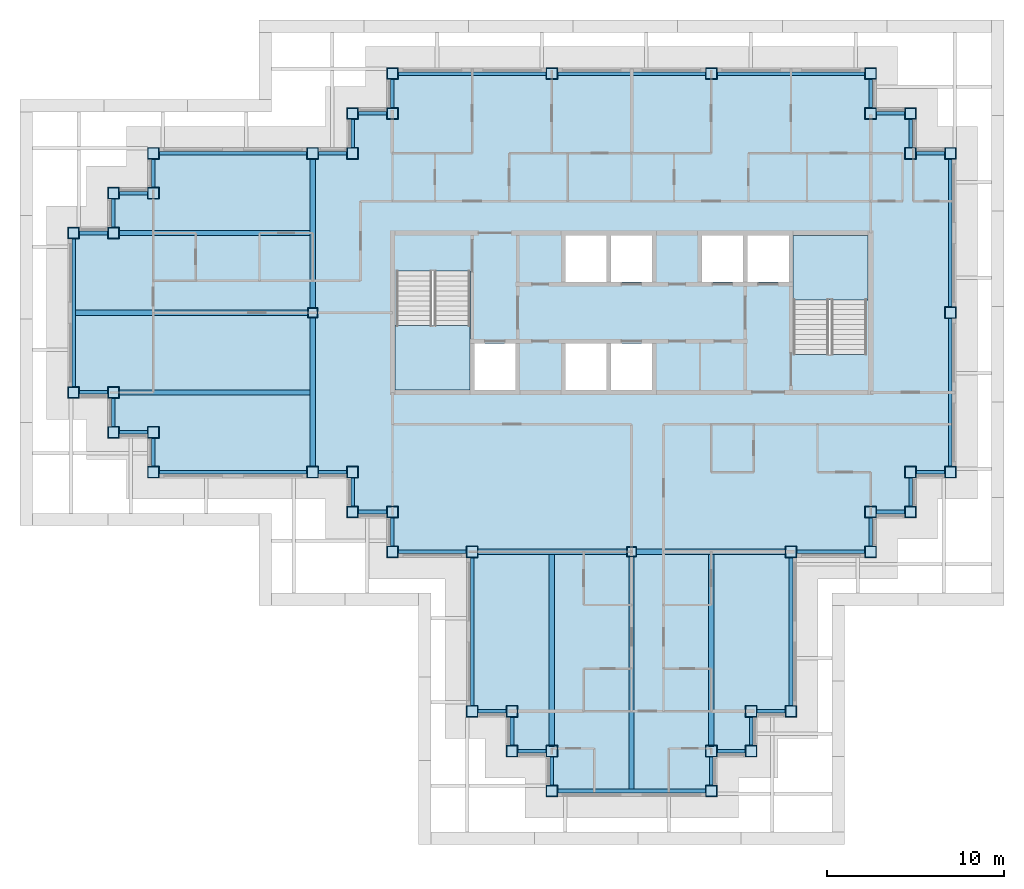
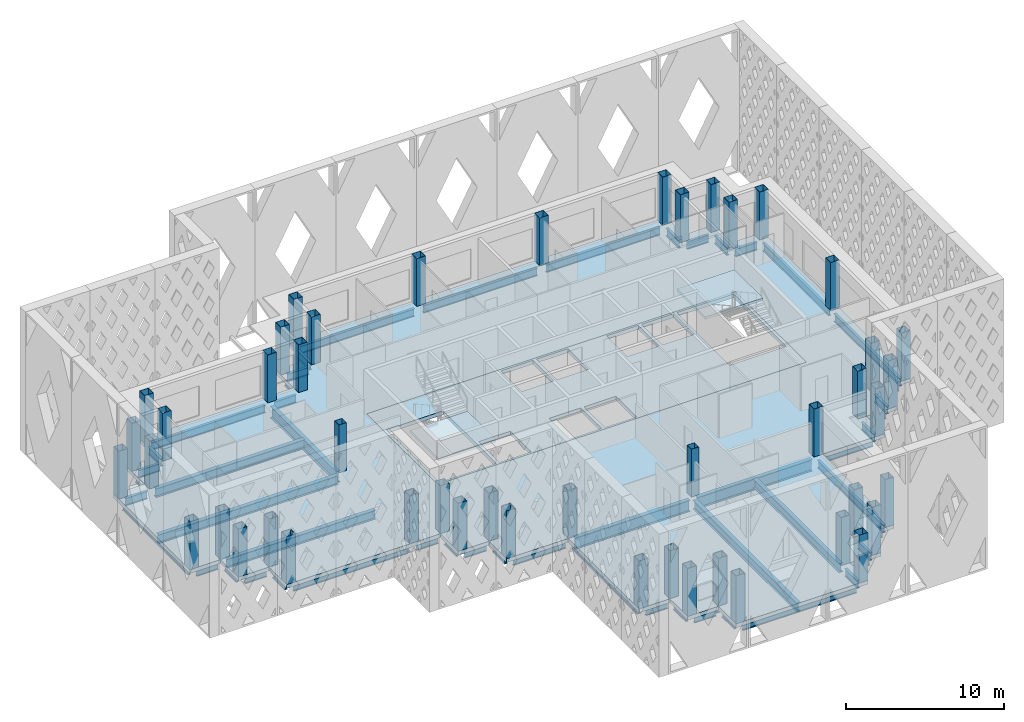
# One storey, part 1 of 17: 55 beams, 47 columns, 4 slabs, 2 elements without a shape of their own.
"""IFC4 building model written with IfcOpenShell, lengths in metres."""

from ifc_helpers import new_model, si_unit, direction, frame, origin, origin_2d, place, context, subcontext, project, spatial, polyline, hollow_rectangle, i_section, outline, extrude, material, layer, layer_set, material_profile, profile_set, type_object, element, aggregate, save


model = new_model("IFC4")

# Units and contexts
model_context = context("Model", 3, precision=1e-05, world=origin(), true_north=direction((0.0, 1.0)))
body_context = subcontext(model_context, "Body", "Model", "MODEL_VIEW")
ifc_project = project(units=[si_unit("LENGTHUNIT", "METRE"), si_unit("AREAUNIT", "SQUARE_METRE"), si_unit("VOLUMEUNIT", "CUBIC_METRE"), si_unit("PLANEANGLEUNIT", "RADIAN"), si_unit("MASSUNIT", "GRAM", prefix="KILO")], contexts=[model_context])

# Site, building, storey
site_placement = place(None, origin())
site = spatial("IfcSite", under=ifc_project, at=site_placement, CompositionType="ELEMENT")
building_placement = place(site_placement, origin())
building = spatial("IfcBuilding", under=site, at=building_placement, Name="Caravel Reach Hotel and Residences", CompositionType="ELEMENT")
storey_placement = place(building_placement, frame((0.0, 0.0, 222.0)))
storey = spatial("IfcBuildingStorey", under=building, at=storey_placement, Name="L56", CompositionType="ELEMENT", Elevation=222.0)

# Columns
ifc_material_1 = material(Name="Concrete-filled steel tube Q390B with Concrete C60 infill", Category="concrete")
ifc_material_profile_1 = material_profile(ifc_material_1, hollow_rectangle(XDim=0.550048828125, YDim=0.550048828125, WallThickness=0.01806640625, at=origin_2d()), Name="RHS 550x550x18")
ifc_profile_set_1 = profile_set([ifc_material_profile_1], Name="Concrete-filled steel tube Q390B with Concrete C60 infill")
column_type_1 = type_object("IfcColumnType", Name="CFT 550x550 Q390B C60", PredefinedType="COLUMN", material=ifc_profile_set_1)
for number, where, z_axis, x_axis, name in (
    (1, (31.5, 13.5, 0.0), (0.0, 0.0, 1.0), (1.0, 0.0, 0.0), "C18 column"),
    (2, (13.5, 27.0, 0.0), (0.0, 0.0, 1.0), (1.0, 0.0, 0.0), "C18 column"),
):
    element("IfcColumn", number, at=place(storey_placement, frame(where, z_axis=z_axis, x_axis=x_axis)), inside=storey, type_object=column_type_1, Name=name, PredefinedType="COLUMN", context=body_context, shape_type="SweptSolid", body=[
        extrude(hollow_rectangle(XDim=0.550048828125, YDim=0.550048828125, WallThickness=0.01806640625, at=origin_2d()), origin(), (0.0, 0.0, 1.0), 3.699951171875),
    ])
ifc_material_2 = material(Name="Concrete-filled steel tube Q390B with Concrete C60 infill", Category="concrete")
ifc_material_profile_2 = material_profile(ifc_material_2, hollow_rectangle(XDim=0.64990234375, YDim=0.64990234375, WallThickness=0.02099609375, at=origin_2d()), Name="RHS 650x650x21")
ifc_profile_set_2 = profile_set([ifc_material_profile_2], Name="Concrete-filled steel tube Q390B with Concrete C60 infill")
column_type_2 = type_object("IfcColumnType", Name="CFT 650x650 Q390B C60", PredefinedType="COLUMN", material=ifc_profile_set_2)
for number, where, z_axis, x_axis, name in (
    (3, (40.5, 13.5, 0.0), (0.0, 0.0, 1.0), (1.0, 0.0, 0.0), "C15 column"),
    (4, (45.0, 13.5, 0.0), (0.0, 0.0, 1.0), (1.0, 0.0, 0.0), "C15 column"),
    (5, (45.0, 15.75, 0.0), (0.0, 0.0, 1.0), (1.0, 0.0, 0.0), "C15 column"),
    (6, (47.25, 15.75, 0.0), (0.0, 0.0, 1.0), (1.0, 0.0, 0.0), "C15 column"),
    (7, (47.25, 18.0, 0.0), (0.0, 0.0, 1.0), (1.0, 0.0, 0.0), "C15 column"),
    (8, (49.5, 18.0, 0.0), (0.0, 0.0, 1.0), (1.0, 0.0, 0.0), "C15 column"),
    (9, (49.5, 27.0, 0.0), (0.0, 0.0, 1.0), (1.0, 0.0, 0.0), "C15 column"),
    (10, (49.5, 36.0, 0.0), (0.0, 0.0, 1.0), (1.0, 0.0, 0.0), "C15 column"),
    (11, (47.25, 36.0, 0.0), (0.0, 0.0, 1.0), (1.0, 0.0, 0.0), "C15 column"),
    (12, (47.25, 38.25, 0.0), (0.0, 0.0, 1.0), (1.0, 0.0, 0.0), "C15 column"),
    (13, (45.0, 38.25, 0.0), (0.0, 0.0, 1.0), (1.0, 0.0, 0.0), "C15 column"),
    (14, (45.0, 40.5, 0.0), (0.0, 0.0, 1.0), (1.0, 0.0, 0.0), "C15 column"),
    (15, (36.0, 40.5, 0.0), (0.0, 0.0, 1.0), (1.0, 0.0, 0.0), "C15 column"),
    (16, (27.0, 40.5, 0.0), (0.0, 0.0, 1.0), (1.0, 0.0, 0.0), "C15 column"),
    (17, (18.0, 40.5, 0.0), (0.0, 0.0, 1.0), (1.0, 0.0, 0.0), "C15 column"),
    (18, (18.0, 38.25, 0.0), (0.0, 0.0, 1.0), (1.0, 0.0, 0.0), "C15 column"),
    (19, (15.75, 38.25, 0.0), (0.0, 0.0, 1.0), (1.0, 0.0, 0.0), "C15 column"),
    (20, (15.75, 36.0, 0.0), (0.0, 0.0, 1.0), (1.0, 0.0, 0.0), "C15 column"),
    (21, (13.5, 36.0, 0.0), (0.0, 0.0, 1.0), (1.0, 0.0, 0.0), "C15 column"),
    (22, (4.5, 36.0, 0.0), (0.0, 0.0, 1.0), (1.0, 0.0, 0.0), "C15 column"),
    (23, (4.5, 33.75, 0.0), (0.0, 0.0, 1.0), (1.0, 0.0, 0.0), "C15 column"),
    (24, (2.25, 33.75, 0.0), (0.0, 0.0, 1.0), (1.0, 0.0, 0.0), "C15 column"),
    (25, (2.25, 31.5, 0.0), (0.0, 0.0, 1.0), (1.0, 0.0, 0.0), "C15 column"),
    (26, (0.0, 31.5, 0.0), (0.0, 0.0, 1.0), (1.0, 0.0, 0.0), "C15 column"),
    (27, (0.0, 22.5, 0.0), (0.0, 0.0, 1.0), (1.0, 0.0, 0.0), "C15 column"),
    (28, (2.25, 22.5, 0.0), (0.0, 0.0, 1.0), (1.0, 0.0, 0.0), "C15 column"),
    (29, (2.25, 20.25, 0.0), (0.0, 0.0, 1.0), (1.0, 0.0, 0.0), "C15 column"),
    (30, (4.5, 20.25, 0.0), (0.0, 0.0, 1.0), (1.0, 0.0, 0.0), "C15 column"),
    (31, (4.5, 18.0, 0.0), (0.0, 0.0, 1.0), (1.0, 0.0, 0.0), "C15 column"),
    (32, (13.5, 18.0, 0.0), (0.0, 0.0, 1.0), (1.0, 0.0, 0.0), "C15 column"),
    (33, (15.75, 18.0, 0.0), (0.0, 0.0, 1.0), (1.0, 0.0, 0.0), "C15 column"),
    (34, (15.75, 15.75, 0.0), (0.0, 0.0, 1.0), (1.0, 0.0, 0.0), "C15 column"),
    (35, (18.0, 15.75, 0.0), (0.0, 0.0, 1.0), (1.0, 0.0, 0.0), "C15 column"),
    (36, (18.0, 13.5, 0.0), (0.0, 0.0, 1.0), (1.0, 0.0, 0.0), "C15 column"),
    (37, (22.5, 13.5, 0.0), (0.0, 0.0, 1.0), (1.0, 0.0, 0.0), "C15 column"),
    (38, (22.5, 4.5, 0.0), (0.0, 0.0, 1.0), (1.0, 0.0, 0.0), "C15 column"),
    (39, (24.75, 4.5, 0.0), (0.0, 0.0, 1.0), (1.0, 0.0, 0.0), "C15 column"),
    (40, (24.75, 2.25, 0.0), (0.0, 0.0, 1.0), (1.0, 0.0, 0.0), "C15 column"),
    (41, (27.0, 2.25, 0.0), (0.0, 0.0, 1.0), (1.0, 0.0, 0.0), "C15 column"),
    (42, (27.0, 0.0, 0.0), (0.0, 0.0, 1.0), (1.0, 0.0, 0.0), "C15 column"),
    (43, (36.0, 0.0, 0.0), (0.0, 0.0, 1.0), (1.0, 0.0, 0.0), "C15 column"),
    (44, (36.0, 2.25, 0.0), (0.0, 0.0, 1.0), (1.0, 0.0, 0.0), "C15 column"),
    (45, (38.25, 2.25, 0.0), (0.0, 0.0, 1.0), (1.0, 0.0, 0.0), "C15 column"),
    (46, (38.25, 4.5, 0.0), (0.0, 0.0, 1.0), (1.0, 0.0, 0.0), "C15 column"),
    (47, (40.5, 4.5, 0.0), (0.0, 0.0, 1.0), (1.0, 0.0, 0.0), "C15 column"),
):
    element("IfcColumn", number, at=place(storey_placement, frame(where, z_axis=z_axis, x_axis=x_axis)), inside=storey, type_object=column_type_2, Name=name, PredefinedType="COLUMN", context=body_context, shape_type="SweptSolid", body=[
        extrude(hollow_rectangle(XDim=0.64990234375, YDim=0.64990234375, WallThickness=0.02099609375, at=origin_2d()), origin(), (0.0, 0.0, 1.0), 3.699951171875),
    ])

# Beams
ifc_material_3 = material(Name="Structural steel Q355B", Category="steel")
ifc_material_profile_3 = material_profile(ifc_material_3, i_section(OverallWidth=0.300048828125, OverallDepth=0.699951171875, WebThickness=0.012939453125, FlangeThickness=0.02392578125, FilletRadius=0.01806640625, at=origin_2d()), Name="HN 700x300x13x24")
ifc_profile_set_3 = profile_set([ifc_material_profile_3], Name="Structural steel Q355B")
beam_type_1 = type_object("IfcBeamType", Name="Beam HN 700x300x13x24", PredefinedType="BEAM", material=ifc_profile_set_3)
beam_1_placement = place(storey_placement, frame((27.0, 13.39990234375, -0.64990234375), z_axis=(0.0, -1.0, 0.0), x_axis=(1.0, 0.0, 0.0)))
element("IfcBeam", 48, at=beam_1_placement, inside=storey, type_object=beam_type_1, Name="B2 HN 700x300x13x24", PredefinedType="BEAM", context=body_context, shape_type="SweptSolid", body=[
    extrude(i_section(OverallWidth=0.300048828125, OverallDepth=0.699951171875, WebThickness=0.012939453125, FlangeThickness=0.02392578125, FilletRadius=0.01806640625, at=origin_2d()), origin(), (0.0, 0.0, 1.0), 10.875),
])
beam_2_placement = place(storey_placement, frame((31.5, 13.27490234375, -0.64990234375), z_axis=(0.0, -1.0, 0.0), x_axis=(1.0, 0.0, 0.0)))
element("IfcBeam", 49, at=beam_2_placement, inside=storey, type_object=beam_type_1, Name="B2 HN 700x300x13x24", PredefinedType="BEAM", context=body_context, shape_type="SweptSolid", body=[
    extrude(i_section(OverallWidth=0.300048828125, OverallDepth=0.699951171875, WebThickness=0.012939453125, FlangeThickness=0.02392578125, FilletRadius=0.01806640625, at=origin_2d()), origin(), (0.0, 0.0, 1.0), 13.1748046875),
])
for number, where, z_axis, x_axis, name in (
    (50, (36.0, 13.39990234375, -0.64990234375), (0.0, -1.0, 0.0), (1.0, 0.0, 0.0), "B2 HN 700x300x13x24"),
    (51, (13.39990234375, 22.5, -0.64990234375), (-1.0, 0.0, 0.0), (0.0, -1.0, 0.0), "B2 HN 700x300x13x24"),
):
    element("IfcBeam", number, at=place(storey_placement, frame(where, z_axis=z_axis, x_axis=x_axis)), inside=storey, type_object=beam_type_1, Name=name, PredefinedType="BEAM", context=body_context, shape_type="SweptSolid", body=[
        extrude(i_section(OverallWidth=0.300048828125, OverallDepth=0.699951171875, WebThickness=0.012939453125, FlangeThickness=0.02392578125, FilletRadius=0.01806640625, at=origin_2d()), origin(), (0.0, 0.0, 1.0), 10.875),
    ])
beam_3_placement = place(storey_placement, frame((13.27490234375, 27.0, -0.64990234375), z_axis=(-1.0, 0.0, 0.0), x_axis=(0.0, -1.0, 0.0)))
element("IfcBeam", 52, at=beam_3_placement, inside=storey, type_object=beam_type_1, Name="B2 HN 700x300x13x24", PredefinedType="BEAM", context=body_context, shape_type="SweptSolid", body=[
    extrude(i_section(OverallWidth=0.300048828125, OverallDepth=0.699951171875, WebThickness=0.012939453125, FlangeThickness=0.02392578125, FilletRadius=0.01806640625, at=origin_2d()), origin(), (0.0, 0.0, 1.0), 13.1748046875),
])
beam_4_placement = place(storey_placement, frame((13.39990234375, 31.5, -0.64990234375), z_axis=(-1.0, 0.0, 0.0), x_axis=(0.0, -1.0, 0.0)))
element("IfcBeam", 53, at=beam_4_placement, inside=storey, type_object=beam_type_1, Name="B2 HN 700x300x13x24", PredefinedType="BEAM", context=body_context, shape_type="SweptSolid", body=[
    extrude(i_section(OverallWidth=0.300048828125, OverallDepth=0.699951171875, WebThickness=0.012939453125, FlangeThickness=0.02392578125, FilletRadius=0.01806640625, at=origin_2d()), origin(), (0.0, 0.0, 1.0), 10.875),
])
ifc_material_4 = material(Name="Structural steel Q355B", Category="steel")
ifc_material_profile_4 = material_profile(ifc_material_4, i_section(OverallWidth=0.300048828125, OverallDepth=0.89990234375, WebThickness=0.01611328125, FlangeThickness=0.028076171875, FilletRadius=0.01806640625, at=origin_2d()), Name="HN 900x300x16x28")
ifc_profile_set_4 = profile_set([ifc_material_profile_4], Name="Structural steel Q355B")
beam_type_2 = type_object("IfcBeamType", Name="Beam HN 900x300x16x28", PredefinedType="BEAM", material=ifc_profile_set_4)
for number, where, z_axis, x_axis, name in (
    (54, (22.824951171875, 13.5, -0.75), (1.0, 0.0, 0.0), (0.0, 1.0, 0.0), "B3 HN 900x300x16x28"),
    (55, (31.77490234375, 13.5, -0.75), (1.0, 0.0, 0.0), (0.0, 1.0, 0.0), "B3 HN 900x300x16x28"),
    (56, (13.5, 18.324951171875, -0.75), (0.0, 1.0, 0.0), (-1.0, 0.0, 0.0), "B3 HN 900x300x16x28"),
    (57, (13.5, 27.27490234375, -0.75), (0.0, 1.0, 0.0), (-1.0, 0.0, 0.0), "B3 HN 900x300x16x28"),
):
    element("IfcBeam", number, at=place(storey_placement, frame(where, z_axis=z_axis, x_axis=x_axis)), inside=storey, type_object=beam_type_2, Name=name, PredefinedType="BEAM", context=body_context, shape_type="SweptSolid", body=[
        extrude(i_section(OverallWidth=0.300048828125, OverallDepth=0.89990234375, WebThickness=0.01611328125, FlangeThickness=0.028076171875, FilletRadius=0.01806640625, at=origin_2d()), origin(), (0.0, 0.0, 1.0), 8.400146484375),
    ])
ifc_material_5 = material(Name="Structural steel Q355B", Category="steel")
ifc_material_profile_5 = material_profile(ifc_material_5, i_section(OverallWidth=0.199951171875, OverallDepth=0.60009765625, WebThickness=0.010986328125, FlangeThickness=0.01708984375, FilletRadius=0.012939453125, at=origin_2d()), Name="HN 600x200x11x17")
ifc_profile_set_5 = profile_set([ifc_material_profile_5], Name="Structural steel Q355B")
beam_type_3 = type_object("IfcBeamType", Name="Spandrel beam HN 600x200x11x17", PredefinedType="SPANDREL", material=ifc_profile_set_5)
beam_5_placement = place(storey_placement, frame((40.824951171875, 13.5, -0.60009765625), z_axis=(1.0, 0.0, 0.0), x_axis=(0.0, 1.0, 0.0)))
element("IfcBeam", 58, at=beam_5_placement, inside=storey, type_object=beam_type_3, Name="SP1 HN 600x200x11x17", PredefinedType="SPANDREL", context=body_context, shape_type="SweptSolid", body=[
    extrude(i_section(OverallWidth=0.199951171875, OverallDepth=0.60009765625, WebThickness=0.010986328125, FlangeThickness=0.01708984375, FilletRadius=0.012939453125, at=origin_2d()), origin(), (0.0, 0.0, 1.0), 3.85009765625),
])
for number, where, z_axis, x_axis, name in (
    (59, (45.0, 13.824951171875, -0.60009765625), (0.0, 1.0, 0.0), (-1.0, 0.0, 0.0), "SP1 HN 600x200x11x17"),
    (60, (45.324951171875, 15.75, -0.60009765625), (1.0, 0.0, 0.0), (0.0, 1.0, 0.0), "SP1 HN 600x200x11x17"),
    (61, (47.25, 16.074951171875, -0.60009765625), (0.0, 1.0, 0.0), (-1.0, 0.0, 0.0), "SP1 HN 600x200x11x17"),
    (62, (47.574951171875, 18.0, -0.60009765625), (1.0, 0.0, 0.0), (0.0, 1.0, 0.0), "SP1 HN 600x200x11x17"),
):
    element("IfcBeam", number, at=place(storey_placement, frame(where, z_axis=z_axis, x_axis=x_axis)), inside=storey, type_object=beam_type_3, Name=name, PredefinedType="SPANDREL", context=body_context, shape_type="SweptSolid", body=[
        extrude(i_section(OverallWidth=0.199951171875, OverallDepth=0.60009765625, WebThickness=0.010986328125, FlangeThickness=0.01708984375, FilletRadius=0.012939453125, at=origin_2d()), origin(), (0.0, 0.0, 1.0), 1.60009765625),
    ])
for number, where, z_axis, x_axis, name in (
    (63, (49.5, 18.324951171875, -0.60009765625), (0.0, 1.0, 0.0), (-1.0, 0.0, 0.0), "SP1 HN 600x200x11x17"),
    (64, (49.5, 27.324951171875, -0.60009765625), (0.0, 1.0, 0.0), (-1.0, 0.0, 0.0), "SP1 HN 600x200x11x17"),
):
    element("IfcBeam", number, at=place(storey_placement, frame(where, z_axis=z_axis, x_axis=x_axis)), inside=storey, type_object=beam_type_3, Name=name, PredefinedType="SPANDREL", context=body_context, shape_type="SweptSolid", body=[
        extrude(i_section(OverallWidth=0.199951171875, OverallDepth=0.60009765625, WebThickness=0.010986328125, FlangeThickness=0.01708984375, FilletRadius=0.012939453125, at=origin_2d()), origin(), (0.0, 0.0, 1.0), 8.35009765625),
    ])
for number, where, z_axis, x_axis, name in (
    (65, (49.175048828125, 36.0, -0.60009765625), (-1.0, 0.0, 0.0), (0.0, -1.0, 0.0), "SP1 HN 600x200x11x17"),
    (66, (47.25, 36.324951171875, -0.60009765625), (0.0, 1.0, 0.0), (-1.0, 0.0, 0.0), "SP1 HN 600x200x11x17"),
    (67, (46.925048828125, 38.25, -0.60009765625), (-1.0, 0.0, 0.0), (0.0, -1.0, 0.0), "SP1 HN 600x200x11x17"),
    (68, (45.0, 38.574951171875, -0.60009765625), (0.0, 1.0, 0.0), (-1.0, 0.0, 0.0), "SP1 HN 600x200x11x17"),
):
    element("IfcBeam", number, at=place(storey_placement, frame(where, z_axis=z_axis, x_axis=x_axis)), inside=storey, type_object=beam_type_3, Name=name, PredefinedType="SPANDREL", context=body_context, shape_type="SweptSolid", body=[
        extrude(i_section(OverallWidth=0.199951171875, OverallDepth=0.60009765625, WebThickness=0.010986328125, FlangeThickness=0.01708984375, FilletRadius=0.012939453125, at=origin_2d()), origin(), (0.0, 0.0, 1.0), 1.60009765625),
    ])
for number, where, z_axis, x_axis, name in (
    (69, (44.675048828125, 40.5, -0.60009765625), (-1.0, 0.0, 0.0), (0.0, -1.0, 0.0), "SP1 HN 600x200x11x17"),
    (70, (35.675048828125, 40.5, -0.60009765625), (-1.0, 0.0, 0.0), (0.0, -1.0, 0.0), "SP1 HN 600x200x11x17"),
    (71, (26.675048828125, 40.5, -0.60009765625), (-1.0, 0.0, 0.0), (0.0, -1.0, 0.0), "SP1 HN 600x200x11x17"),
):
    element("IfcBeam", number, at=place(storey_placement, frame(where, z_axis=z_axis, x_axis=x_axis)), inside=storey, type_object=beam_type_3, Name=name, PredefinedType="SPANDREL", context=body_context, shape_type="SweptSolid", body=[
        extrude(i_section(OverallWidth=0.199951171875, OverallDepth=0.60009765625, WebThickness=0.010986328125, FlangeThickness=0.01708984375, FilletRadius=0.012939453125, at=origin_2d()), origin(), (0.0, 0.0, 1.0), 8.35009765625),
    ])
for number, where, z_axis, x_axis, name in (
    (72, (18.0, 40.175048828125, -0.60009765625), (0.0, -1.0, 0.0), (1.0, 0.0, 0.0), "SP1 HN 600x200x11x17"),
    (73, (17.675048828125, 38.25, -0.60009765625), (-1.0, 0.0, 0.0), (0.0, -1.0, 0.0), "SP1 HN 600x200x11x17"),
    (74, (15.75, 37.925048828125, -0.60009765625), (0.0, -1.0, 0.0), (1.0, 0.0, 0.0), "SP1 HN 600x200x11x17"),
    (75, (15.425048828125, 36.0, -0.60009765625), (-1.0, 0.0, 0.0), (0.0, -1.0, 0.0), "SP1 HN 600x200x11x17"),
):
    element("IfcBeam", number, at=place(storey_placement, frame(where, z_axis=z_axis, x_axis=x_axis)), inside=storey, type_object=beam_type_3, Name=name, PredefinedType="SPANDREL", context=body_context, shape_type="SweptSolid", body=[
        extrude(i_section(OverallWidth=0.199951171875, OverallDepth=0.60009765625, WebThickness=0.010986328125, FlangeThickness=0.01708984375, FilletRadius=0.012939453125, at=origin_2d()), origin(), (0.0, 0.0, 1.0), 1.60009765625),
    ])
beam_6_placement = place(storey_placement, frame((13.175048828125, 36.0, -0.60009765625), z_axis=(-1.0, 0.0, 0.0), x_axis=(0.0, -1.0, 0.0)))
element("IfcBeam", 76, at=beam_6_placement, inside=storey, type_object=beam_type_3, Name="SP1 HN 600x200x11x17", PredefinedType="SPANDREL", context=body_context, shape_type="SweptSolid", body=[
    extrude(i_section(OverallWidth=0.199951171875, OverallDepth=0.60009765625, WebThickness=0.010986328125, FlangeThickness=0.01708984375, FilletRadius=0.012939453125, at=origin_2d()), origin(), (0.0, 0.0, 1.0), 8.35009765625),
])
for number, where, z_axis, x_axis, name in (
    (77, (4.5, 35.675048828125, -0.60009765625), (0.0, -1.0, 0.0), (1.0, 0.0, 0.0), "SP1 HN 600x200x11x17"),
    (78, (4.175048828125, 33.75, -0.60009765625), (-1.0, 0.0, 0.0), (0.0, -1.0, 0.0), "SP1 HN 600x200x11x17"),
    (79, (2.25, 33.425048828125, -0.60009765625), (0.0, -1.0, 0.0), (1.0, 0.0, 0.0), "SP1 HN 600x200x11x17"),
    (80, (1.925048828125, 31.5, -0.60009765625), (-1.0, 0.0, 0.0), (0.0, -1.0, 0.0), "SP1 HN 600x200x11x17"),
):
    element("IfcBeam", number, at=place(storey_placement, frame(where, z_axis=z_axis, x_axis=x_axis)), inside=storey, type_object=beam_type_3, Name=name, PredefinedType="SPANDREL", context=body_context, shape_type="SweptSolid", body=[
        extrude(i_section(OverallWidth=0.199951171875, OverallDepth=0.60009765625, WebThickness=0.010986328125, FlangeThickness=0.01708984375, FilletRadius=0.012939453125, at=origin_2d()), origin(), (0.0, 0.0, 1.0), 1.60009765625),
    ])
beam_7_placement = place(storey_placement, frame((0.0, 31.175048828125, -0.60009765625), z_axis=(0.0, -1.0, 0.0), x_axis=(1.0, 0.0, 0.0)))
element("IfcBeam", 81, at=beam_7_placement, inside=storey, type_object=beam_type_3, Name="SP1 HN 600x200x11x17", PredefinedType="SPANDREL", context=body_context, shape_type="SweptSolid", body=[
    extrude(i_section(OverallWidth=0.199951171875, OverallDepth=0.60009765625, WebThickness=0.010986328125, FlangeThickness=0.01708984375, FilletRadius=0.012939453125, at=origin_2d()), origin(), (0.0, 0.0, 1.0), 8.35009765625),
])
for number, where, z_axis, x_axis, name in (
    (82, (0.324951171875, 22.5, -0.60009765625), (1.0, 0.0, 0.0), (0.0, 1.0, 0.0), "SP1 HN 600x200x11x17"),
    (83, (2.25, 22.175048828125, -0.60009765625), (0.0, -1.0, 0.0), (1.0, 0.0, 0.0), "SP1 HN 600x200x11x17"),
    (84, (2.574951171875, 20.25, -0.60009765625), (1.0, 0.0, 0.0), (0.0, 1.0, 0.0), "SP1 HN 600x200x11x17"),
    (85, (4.5, 19.925048828125, -0.60009765625), (0.0, -1.0, 0.0), (1.0, 0.0, 0.0), "SP1 HN 600x200x11x17"),
):
    element("IfcBeam", number, at=place(storey_placement, frame(where, z_axis=z_axis, x_axis=x_axis)), inside=storey, type_object=beam_type_3, Name=name, PredefinedType="SPANDREL", context=body_context, shape_type="SweptSolid", body=[
        extrude(i_section(OverallWidth=0.199951171875, OverallDepth=0.60009765625, WebThickness=0.010986328125, FlangeThickness=0.01708984375, FilletRadius=0.012939453125, at=origin_2d()), origin(), (0.0, 0.0, 1.0), 1.60009765625),
    ])
beam_8_placement = place(storey_placement, frame((4.824951171875, 18.0, -0.60009765625), z_axis=(1.0, 0.0, 0.0), x_axis=(0.0, 1.0, 0.0)))
element("IfcBeam", 86, at=beam_8_placement, inside=storey, type_object=beam_type_3, Name="SP1 HN 600x200x11x17", PredefinedType="SPANDREL", context=body_context, shape_type="SweptSolid", body=[
    extrude(i_section(OverallWidth=0.199951171875, OverallDepth=0.60009765625, WebThickness=0.010986328125, FlangeThickness=0.01708984375, FilletRadius=0.012939453125, at=origin_2d()), origin(), (0.0, 0.0, 1.0), 8.35009765625),
])
for number, where, z_axis, x_axis, name in (
    (87, (13.824951171875, 18.0, -0.60009765625), (1.0, 0.0, 0.0), (0.0, 1.0, 0.0), "SP1 HN 600x200x11x17"),
    (88, (15.75, 17.675048828125, -0.60009765625), (0.0, -1.0, 0.0), (1.0, 0.0, 0.0), "SP1 HN 600x200x11x17"),
    (89, (16.074951171875, 15.75, -0.60009765625), (1.0, 0.0, 0.0), (0.0, 1.0, 0.0), "SP1 HN 600x200x11x17"),
    (90, (18.0, 15.425048828125, -0.60009765625), (0.0, -1.0, 0.0), (1.0, 0.0, 0.0), "SP1 HN 600x200x11x17"),
):
    element("IfcBeam", number, at=place(storey_placement, frame(where, z_axis=z_axis, x_axis=x_axis)), inside=storey, type_object=beam_type_3, Name=name, PredefinedType="SPANDREL", context=body_context, shape_type="SweptSolid", body=[
        extrude(i_section(OverallWidth=0.199951171875, OverallDepth=0.60009765625, WebThickness=0.010986328125, FlangeThickness=0.01708984375, FilletRadius=0.012939453125, at=origin_2d()), origin(), (0.0, 0.0, 1.0), 1.60009765625),
    ])
beam_9_placement = place(storey_placement, frame((18.324951171875, 13.5, -0.60009765625), z_axis=(1.0, 0.0, 0.0), x_axis=(0.0, 1.0, 0.0)))
element("IfcBeam", 91, at=beam_9_placement, inside=storey, type_object=beam_type_3, Name="SP1 HN 600x200x11x17", PredefinedType="SPANDREL", context=body_context, shape_type="SweptSolid", body=[
    extrude(i_section(OverallWidth=0.199951171875, OverallDepth=0.60009765625, WebThickness=0.010986328125, FlangeThickness=0.01708984375, FilletRadius=0.012939453125, at=origin_2d()), origin(), (0.0, 0.0, 1.0), 3.85009765625),
])
beam_10_placement = place(storey_placement, frame((22.5, 13.175048828125, -0.60009765625), z_axis=(0.0, -1.0, 0.0), x_axis=(1.0, 0.0, 0.0)))
element("IfcBeam", 92, at=beam_10_placement, inside=storey, type_object=beam_type_3, Name="SP1 HN 600x200x11x17", PredefinedType="SPANDREL", context=body_context, shape_type="SweptSolid", body=[
    extrude(i_section(OverallWidth=0.199951171875, OverallDepth=0.60009765625, WebThickness=0.010986328125, FlangeThickness=0.01708984375, FilletRadius=0.012939453125, at=origin_2d()), origin(), (0.0, 0.0, 1.0), 8.35009765625),
])
for number, where, z_axis, x_axis, name in (
    (93, (22.824951171875, 4.5, -0.60009765625), (1.0, 0.0, 0.0), (0.0, 1.0, 0.0), "SP1 HN 600x200x11x17"),
    (94, (24.75, 4.175048828125, -0.60009765625), (0.0, -1.0, 0.0), (1.0, 0.0, 0.0), "SP1 HN 600x200x11x17"),
    (95, (25.074951171875, 2.25, -0.60009765625), (1.0, 0.0, 0.0), (0.0, 1.0, 0.0), "SP1 HN 600x200x11x17"),
    (96, (27.0, 1.925048828125, -0.60009765625), (0.0, -1.0, 0.0), (1.0, 0.0, 0.0), "SP1 HN 600x200x11x17"),
):
    element("IfcBeam", number, at=place(storey_placement, frame(where, z_axis=z_axis, x_axis=x_axis)), inside=storey, type_object=beam_type_3, Name=name, PredefinedType="SPANDREL", context=body_context, shape_type="SweptSolid", body=[
        extrude(i_section(OverallWidth=0.199951171875, OverallDepth=0.60009765625, WebThickness=0.010986328125, FlangeThickness=0.01708984375, FilletRadius=0.012939453125, at=origin_2d()), origin(), (0.0, 0.0, 1.0), 1.60009765625),
    ])
beam_11_placement = place(storey_placement, frame((27.324951171875, 0.0, -0.60009765625), z_axis=(1.0, 0.0, 0.0), x_axis=(0.0, 1.0, 0.0)))
element("IfcBeam", 97, at=beam_11_placement, inside=storey, type_object=beam_type_3, Name="SP1 HN 600x200x11x17", PredefinedType="SPANDREL", context=body_context, shape_type="SweptSolid", body=[
    extrude(i_section(OverallWidth=0.199951171875, OverallDepth=0.60009765625, WebThickness=0.010986328125, FlangeThickness=0.01708984375, FilletRadius=0.012939453125, at=origin_2d()), origin(), (0.0, 0.0, 1.0), 8.35009765625),
])
for number, where, z_axis, x_axis, name in (
    (98, (36.0, 0.324951171875, -0.60009765625), (0.0, 1.0, 0.0), (-1.0, 0.0, 0.0), "SP1 HN 600x200x11x17"),
    (99, (36.324951171875, 2.25, -0.60009765625), (1.0, 0.0, 0.0), (0.0, 1.0, 0.0), "SP1 HN 600x200x11x17"),
    (100, (38.25, 2.574951171875, -0.60009765625), (0.0, 1.0, 0.0), (-1.0, 0.0, 0.0), "SP1 HN 600x200x11x17"),
    (101, (38.574951171875, 4.5, -0.60009765625), (1.0, 0.0, 0.0), (0.0, 1.0, 0.0), "SP1 HN 600x200x11x17"),
):
    element("IfcBeam", number, at=place(storey_placement, frame(where, z_axis=z_axis, x_axis=x_axis)), inside=storey, type_object=beam_type_3, Name=name, PredefinedType="SPANDREL", context=body_context, shape_type="SweptSolid", body=[
        extrude(i_section(OverallWidth=0.199951171875, OverallDepth=0.60009765625, WebThickness=0.010986328125, FlangeThickness=0.01708984375, FilletRadius=0.012939453125, at=origin_2d()), origin(), (0.0, 0.0, 1.0), 1.60009765625),
    ])
beam_12_placement = place(storey_placement, frame((40.5, 4.824951171875, -0.60009765625), z_axis=(0.0, 1.0, 0.0), x_axis=(-1.0, 0.0, 0.0)))
element("IfcBeam", 102, at=beam_12_placement, inside=storey, type_object=beam_type_3, Name="SP1 HN 600x200x11x17", PredefinedType="SPANDREL", context=body_context, shape_type="SweptSolid", body=[
    extrude(i_section(OverallWidth=0.199951171875, OverallDepth=0.60009765625, WebThickness=0.010986328125, FlangeThickness=0.01708984375, FilletRadius=0.012939453125, at=origin_2d()), origin(), (0.0, 0.0, 1.0), 8.35009765625),
])

# Slab
ifc_material_6 = material(Name="Concrete C40", Category="concrete")
ifc_layer_1 = layer(ifc_material_6, 0.300048828125)
ifc_layer_set_1 = layer_set([ifc_layer_1], Name="Core floor slab 300 mm")
slab_type_1 = type_object("IfcSlabType", Name="Core floor slab 300 mm", PredefinedType="FLOOR", material=ifc_layer_set_1)
slab_1_placement = place(storey_placement, frame((0.0, 0.0, -0.300048828125)))
element("IfcSlab", 103, at=slab_1_placement, inside=storey, type_object=slab_type_1, Name="L56 core floor", PredefinedType="FLOOR", context=body_context, shape_type="SweptSolid", body=[
    extrude(outline(polyline([(18.0, 31.5), (45.0, 31.5), (45.0, 22.5), (18.0, 22.5), (18.0, 31.5)]), holes=[polyline([(22.625, 25.27490234375), (22.625, 22.64990234375), (24.9462890625, 22.64990234375), (24.9462890625, 25.27490234375), (22.625, 25.27490234375)]), polyline([(27.767822265625, 25.27490234375), (27.767822265625, 22.64990234375), (30.08935546875, 22.64990234375), (30.08935546875, 25.27490234375), (27.767822265625, 25.27490234375)]), polyline([(30.33935546875, 25.27490234375), (30.33935546875, 22.64990234375), (32.66064453125, 22.64990234375), (32.66064453125, 25.27490234375), (30.33935546875, 25.27490234375)]), polyline([(22.375, 22.64990234375), (22.375, 29.35009765625), (18.22509765625, 29.35009765625), (18.22509765625, 22.64990234375), (22.375, 22.64990234375)]), polyline([(40.625, 31.35009765625), (40.625, 24.64990234375), (44.77490234375, 24.64990234375), (44.77490234375, 31.35009765625), (40.625, 31.35009765625)]), polyline([(27.767822265625, 31.35009765625), (27.767822265625, 28.72509765625), (30.08935546875, 28.72509765625), (30.08935546875, 31.35009765625), (27.767822265625, 31.35009765625)]), polyline([(30.33935546875, 31.35009765625), (30.33935546875, 28.72509765625), (32.66064453125, 28.72509765625), (32.66064453125, 31.35009765625), (30.33935546875, 31.35009765625)]), polyline([(37.8037109375, 31.35009765625), (35.482177734375, 31.35009765625), (35.482177734375, 28.72509765625), (37.8037109375, 28.72509765625), (37.8037109375, 31.35009765625)]), polyline([(40.375, 31.35009765625), (38.0537109375, 31.35009765625), (38.0537109375, 28.72509765625), (40.375, 28.72509765625), (40.375, 31.35009765625)])]), origin(), (0.0, 0.0, 1.0), 0.300048828125),
])

# Stair, slab
ifc_material_7 = material(Name="Concrete C40", Category="concrete")
stair_type = type_object("IfcStairType", Name="Core stair", PredefinedType="HALF_TURN_STAIR", material=ifc_material_7)
stair_1_placement = place(storey_placement, origin())
stair_1 = element("IfcStair", 104, at=stair_1_placement, inside=storey, type_object=stair_type, Name="L56 Exit stair A", PredefinedType="HALF_TURN_STAIR")
ifc_material_8 = material(Name="Concrete C40", Category="concrete")
ifc_layer_2 = layer(ifc_material_8, 0.199951171875)
ifc_layer_set_2 = layer_set([ifc_layer_2], Name="Core stair landing")
slab_type_2 = type_object("IfcSlabType", Name="Core stair landing", PredefinedType="LANDING", material=ifc_layer_set_2)
slab_2_placement = place(storey_placement, frame((0.0, 0.0, 1.64990234375)))
slab_2 = element("IfcSlab", 105, at=slab_2_placement, type_object=slab_type_2, Name="ST-A landing 1", PredefinedType="LANDING", context=body_context, shape_type="SweptSolid", body=[
    extrude(outline(polyline([(18.14990234375, 26.27001953125), (18.14990234375, 22.64990234375), (22.375, 22.64990234375), (22.375, 26.27001953125), (18.14990234375, 26.27001953125)])), origin(), (0.0, 0.0, 1.0), 0.2001953125),
])
aggregate(stair_1, [slab_2])

stair_2_placement = place(storey_placement, origin())
stair_2 = element("IfcStair", 106, at=stair_2_placement, inside=storey, type_object=stair_type, Name="L56 Exit stair B", PredefinedType="HALF_TURN_STAIR")
slab_3_placement = place(storey_placement, frame((0.0, 0.0, 1.64990234375)))
slab_3 = element("IfcSlab", 107, at=slab_3_placement, type_object=slab_type_2, Name="ST-B landing 1", PredefinedType="LANDING", context=body_context, shape_type="SweptSolid", body=[
    extrude(outline(polyline([(44.85009765625, 27.72998046875), (44.85009765625, 31.35009765625), (40.625, 31.35009765625), (40.625, 27.72998046875), (44.85009765625, 27.72998046875)])), origin(), (0.0, 0.0, 1.0), 0.2001953125),
])
aggregate(stair_2, [slab_3])

# Slab
ifc_material_9 = material(Name="Concrete C40 post-tensioned", Category="concrete")
ifc_layer_3 = layer(ifc_material_9, 0.300048828125)
ifc_layer_set_3 = layer_set([ifc_layer_3], Name="Floor slab 300")
slab_type_3 = type_object("IfcSlabType", Name="Floor slab 300", PredefinedType="FLOOR", material=ifc_layer_set_3)
slab_4_placement = place(storey_placement, frame((0.0, 0.0, -0.300048828125)))
element("IfcSlab", 108, at=slab_4_placement, inside=storey, type_object=slab_type_3, Name="S2 slab L56", PredefinedType="FLOOR", context=body_context, shape_type="SweptSolid", body=[
    extrude(outline(polyline([(38.574951171875, 4.175048828125), (38.574951171875, 1.925048828125), (36.324951171875, 1.925048828125), (36.324951171875, -0.324951171875), (26.675048828125, -0.324951171875), (26.675048828125, 1.925048828125), (24.425048828125, 1.925048828125), (24.425048828125, 4.175048828125), (22.175048828125, 4.175048828125), (22.175048828125, 13.175048828125), (17.675048828125, 13.175048828125), (17.675048828125, 15.425048828125), (15.425048828125, 15.425048828125), (15.425048828125, 17.675048828125), (4.175048828125, 17.675048828125), (4.175048828125, 19.925048828125), (1.925048828125, 19.925048828125), (1.925048828125, 22.175048828125), (-0.324951171875, 22.175048828125), (-0.324951171875, 31.824951171875), (1.925048828125, 31.824951171875), (1.925048828125, 34.074951171875), (4.175048828125, 34.074951171875), (4.175048828125, 36.324951171875), (15.425048828125, 36.324951171875), (15.425048828125, 38.574951171875), (17.675048828125, 38.574951171875), (17.675048828125, 40.824951171875), (45.324951171875, 40.824951171875), (45.324951171875, 38.574951171875), (47.574951171875, 38.574951171875), (47.574951171875, 36.324951171875), (49.824951171875, 36.324951171875), (49.824951171875, 17.675048828125), (47.574951171875, 17.675048828125), (47.574951171875, 15.425048828125), (45.324951171875, 15.425048828125), (45.324951171875, 13.175048828125), (40.824951171875, 13.175048828125), (40.824951171875, 4.175048828125), (38.574951171875, 4.175048828125)]), holes=[polyline([(45.0, 31.5), (18.0, 31.5), (18.0, 22.5), (45.0, 22.5), (45.0, 31.5)])]), origin(), (0.0, 0.0, 1.0), 0.300048828125),
])

save(model, "model.ifc")
